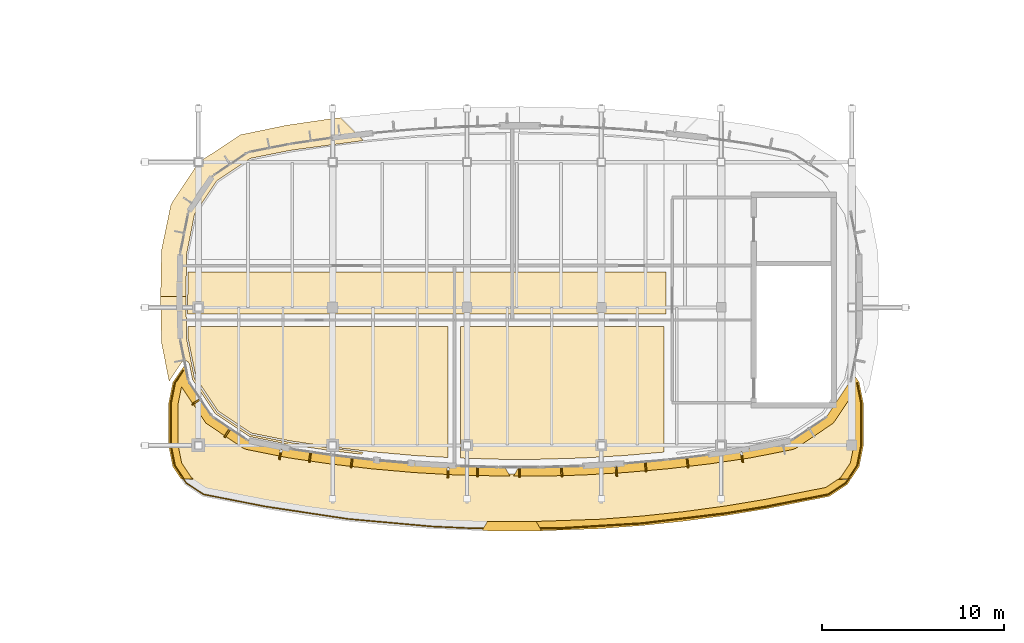
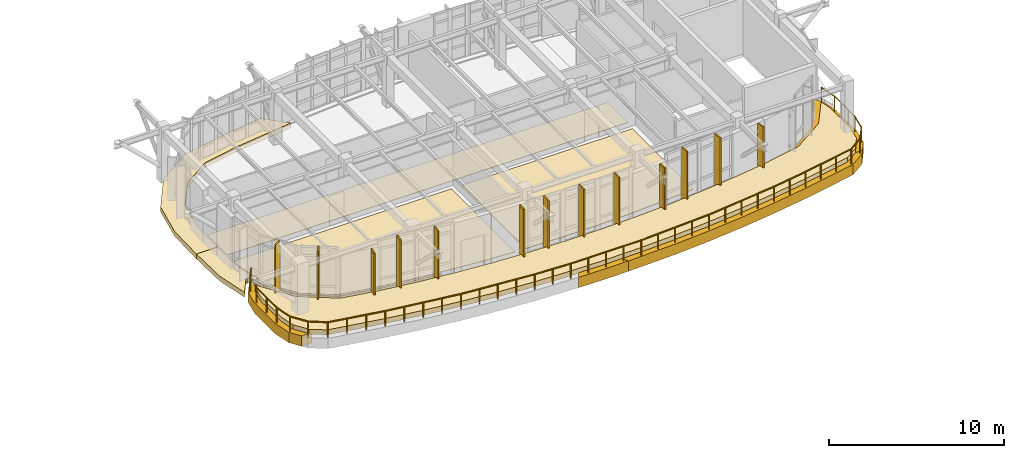
# One storey, part 94 of 105: 23 coverings, 4 shading devices, 1 railing.
"""IFC4 building model written with IfcOpenShell, lengths in metres."""

from ifc_helpers import new_model, si_unit, direction, frame, origin, origin_2d, place, context, subcontext, project, spatial, polyline, rectangle, circle, outline, extrude, material, layer, layer_set, type_object, element, save


model = new_model("IFC4")

# Units and contexts
model_context = context("Model", 3, precision=1e-05, world=origin(), true_north=direction((0.0, 1.0)))
body_context = subcontext(model_context, "Body", "Model", "MODEL_VIEW")
ifc_project = project(units=[si_unit("LENGTHUNIT", "METRE"), si_unit("AREAUNIT", "SQUARE_METRE"), si_unit("VOLUMEUNIT", "CUBIC_METRE"), si_unit("PLANEANGLEUNIT", "RADIAN"), si_unit("MASSUNIT", "GRAM", prefix="KILO")], contexts=[model_context])

# Site, building, storey
site_placement = place(None, origin())
site = spatial("IfcSite", under=ifc_project, at=site_placement, CompositionType="ELEMENT")
building_placement = place(site_placement, origin())
building = spatial("IfcBuilding", under=site, at=building_placement, Name="Corveleigh Park Community Centre", CompositionType="ELEMENT")
storey_placement = place(building_placement, frame((0.0, 0.0, 8.699951171875)))
storey = spatial("IfcBuildingStorey", under=building, at=storey_placement, Name="L02", CompositionType="ELEMENT", Elevation=8.699951171875)

# Coverings
ifc_material_1 = material(Name="Warm buff ribbed architectural cladding", Category="masonry")
ifc_layer_1 = layer(ifc_material_1, 0.0849609375, Name="Warm buff ribbed architectural cladding", Category="masonry")
ifc_layer_set_1 = layer_set([ifc_layer_1], Name="Warm buff ribbed architectural cladding")
covering_type_1 = type_object("IfcCoveringType", Name="COV-CLD-BUF", PredefinedType="CLADDING", material=ifc_layer_set_1)
covering_1_placement = place(storey_placement, origin())
element("IfcCovering", 1, at=covering_1_placement, inside=storey, type_object=covering_type_1, Name="V3 L02 Brise-soleil blade 334", PredefinedType="CLADDING", context=body_context, shape_type="SweptSolid", body=[
    extrude(outline(polyline([(78.237060546875, 10.845947265625), (78.153076171875, 10.85791015625), (78.069091796875, 10.283935546875), (78.153076171875, 10.27197265625), (78.237060546875, 10.845947265625)])), origin(), (0.0, 0.0, 1.0), 3.6640625),
])
covering_2_placement = place(storey_placement, origin())
element("IfcCovering", 2, at=covering_2_placement, inside=storey, type_object=covering_type_1, Name="V3 L02 Brise-soleil blade 335", PredefinedType="CLADDING", context=body_context, shape_type="SweptSolid", body=[
    extrude(outline(polyline([(80.52587890625, 10.544921875), (80.44091796875, 10.554931640625), (80.3740234375, 9.97900390625), (80.4580078125, 9.968994140625), (80.52587890625, 10.544921875)])), origin(), (0.0, 0.0, 1.0), 3.6640625),
])
covering_3_placement = place(storey_placement, origin())
element("IfcCovering", 3, at=covering_3_placement, inside=storey, type_object=covering_type_1, Name="V3 L02 Brise-soleil blade 336", PredefinedType="CLADDING", context=body_context, shape_type="SweptSolid", body=[
    extrude(outline(polyline([(85.81201171875, 9.949951171875), (85.72802734375, 9.955078125), (85.697021484375, 9.4208984375), (85.781982421875, 9.416015625), (85.81201171875, 9.949951171875)])), origin(), (0.0, 0.0, 1.0), 3.6640625),
])
covering_4_placement = place(storey_placement, origin())
element("IfcCovering", 4, at=covering_4_placement, inside=storey, type_object=covering_type_1, Name="V3 L02 Brise-soleil blade 337", PredefinedType="CLADDING", context=body_context, shape_type="SweptSolid", body=[
    extrude(outline(polyline([(87.43408203125, 10.044921875), (87.34912109375, 10.048095703125), (87.33203125, 9.468017578125), (87.4169921875, 9.466064453125), (87.43408203125, 10.044921875)])), origin(), (0.0, 0.0, 1.0), 3.6640625),
])
covering_5_placement = place(storey_placement, origin())
element("IfcCovering", 5, at=covering_5_placement, inside=storey, type_object=covering_type_1, Name="V3 L02 Brise-soleil blade 338", PredefinedType="CLADDING", context=body_context, shape_type="SweptSolid", body=[
    extrude(outline(polyline([(89.742919921875, 10.012939453125), (89.656982421875, 10.012939453125), (89.656982421875, 9.43310546875), (89.742919921875, 9.43310546875), (89.742919921875, 10.012939453125)])), origin(), (0.0, 0.0, 1.0), 3.6640625),
])
covering_6_placement = place(storey_placement, origin())
element("IfcCovering", 6, at=covering_6_placement, inside=storey, type_object=covering_type_1, Name="V3 L02 Brise-soleil blade 339", PredefinedType="CLADDING", context=body_context, shape_type="SweptSolid", body=[
    extrude(outline(polyline([(92.051025390625, 10.048095703125), (91.966064453125, 10.044921875), (91.98291015625, 9.466064453125), (92.068115234375, 9.468017578125), (92.051025390625, 10.048095703125)])), origin(), (0.0, 0.0, 1.0), 3.6640625),
])
covering_7_placement = place(storey_placement, origin())
element("IfcCovering", 7, at=covering_7_placement, inside=storey, type_object=covering_type_1, Name="V3 L02 Brise-soleil blade 340", PredefinedType="CLADDING", context=body_context, shape_type="SweptSolid", body=[
    extrude(outline(polyline([(95.06298828125, 10.02490234375), (94.97802734375, 10.02001953125), (95.009033203125, 9.486083984375), (95.093017578125, 9.490966796875), (95.06298828125, 10.02490234375)])), origin(), (0.0, 0.0, 1.0), 3.2431640625),
])
covering_8_placement = place(storey_placement, origin())
element("IfcCovering", 8, at=covering_8_placement, inside=storey, type_object=covering_type_1, Name="V3 L02 Brise-soleil blade 341", PredefinedType="CLADDING", context=body_context, shape_type="SweptSolid", body=[
    extrude(outline(polyline([(96.662109375, 10.319091796875), (96.576904296875, 10.31103515625), (96.6279296875, 9.73291015625), (96.7119140625, 9.740966796875), (96.662109375, 10.319091796875)])), origin(), (0.0, 0.0, 1.0), 3.6640625),
])
covering_9_placement = place(storey_placement, origin())
element("IfcCovering", 9, at=covering_9_placement, inside=storey, type_object=covering_type_1, Name="V3 L02 Brise-soleil blade 342", PredefinedType="CLADDING", context=body_context, shape_type="SweptSolid", body=[
    extrude(outline(polyline([(98.958984375, 10.554931640625), (98.8740234375, 10.544921875), (98.94189453125, 9.968994140625), (99.02587890625, 9.97900390625), (98.958984375, 10.554931640625)])), origin(), (0.0, 0.0, 1.0), 3.6640625),
])
covering_10_placement = place(storey_placement, origin())
element("IfcCovering", 10, at=covering_10_placement, inside=storey, type_object=covering_type_1, Name="V3 L02 Brise-soleil blade 343", PredefinedType="CLADDING", context=body_context, shape_type="SweptSolid", body=[
    extrude(outline(polyline([(101.95703125, 10.804931640625), (101.873046875, 10.79296875), (101.950927734375, 10.263916015625), (102.034912109375, 10.27587890625), (101.95703125, 10.804931640625)])), origin(), (0.0, 0.0, 1.0), 3.18701171875),
])
covering_11_placement = place(storey_placement, origin())
element("IfcCovering", 11, at=covering_11_placement, inside=storey, type_object=covering_type_1, Name="V3 L02 Brise-soleil blade 366", PredefinedType="CLADDING", context=body_context, shape_type="SweptSolid", body=[
    extrude(outline(polyline([(72.156005859375, 13.72802734375), (72.10888671875, 13.799072265625), (71.6259765625, 13.47705078125), (71.673095703125, 13.406005859375), (72.156005859375, 13.72802734375)])), origin(), (0.0, 0.0, 1.0), 3.6640625),
])
covering_12_placement = place(storey_placement, origin())
element("IfcCovering", 12, at=covering_12_placement, inside=storey, type_object=covering_type_1, Name="V3 L02 Brise-soleil blade 367", PredefinedType="CLADDING", context=body_context, shape_type="SweptSolid", body=[
    extrude(outline(polyline([(73.799072265625, 12.10888671875), (73.72802734375, 12.156005859375), (73.406005859375, 11.673095703125), (73.47705078125, 11.6259765625), (73.799072265625, 12.10888671875)])), origin(), (0.0, 0.0, 1.0), 3.6640625),
])
covering_13_placement = place(storey_placement, origin())
element("IfcCovering", 13, at=covering_13_placement, inside=storey, type_object=covering_type_1, Name="V3 L02 Brise-soleil blade 368", PredefinedType="CLADDING", context=body_context, shape_type="SweptSolid", body=[
    extrude(outline(polyline([(76.60888671875, 10.93896484375), (76.52587890625, 10.9560546875), (76.4208984375, 10.430908203125), (76.5048828125, 10.4140625), (76.60888671875, 10.93896484375)])), origin(), (0.0, 0.0, 1.0), 3.241943359375),
])
ifc_material_2 = material(Name="White architectural fascia cladding", Category="masonry")
ifc_layer_2 = layer(ifc_material_2, 0.074951171875, Name="White architectural fascia cladding", Category="masonry")
ifc_layer_set_2 = layer_set([ifc_layer_2], Name="White architectural fascia cladding")
covering_type_2 = type_object("IfcCoveringType", Name="COV-CLD-WHT", PredefinedType="CLADDING", material=ifc_layer_set_2)
covering_14_placement = place(storey_placement, frame((0.0, 0.0, -0.679931640625)))
element("IfcCovering", 14, at=covering_14_placement, inside=storey, type_object=covering_type_2, Name="Park Outlook Seminar Terrace Sweeping White Edge Band 1", PredefinedType="CLADDING", context=body_context, shape_type="SweptSolid", body=[
    extrude(outline(polyline([(108.412109375, 14.6630859375), (108.639892578125, 13.511962890625), (108.639892578125, 11.18798828125), (108.409912109375, 10.030029296875), (107.9541015625, 9.344970703125), (107.264892578125, 9.344970703125), (107.37890625, 9.4208984375), (107.9208984375, 10.23193359375), (108.1201171875, 11.236083984375), (108.1201171875, 13.4619140625), (108.02099609375, 13.964111328125), (106.97900390625, 12.4208984375), (104.93505859375, 11.0458984375), (104.762939453125, 10.97412109375), (102.424072265625, 10.510009765625), (100.1240234375, 10.173095703125), (97.81494140625, 9.903076171875), (95.512939453125, 9.700927734375), (93.193115234375, 9.56591796875), (90.868896484375, 9.498046875), (89.360107421875, 9.498046875), (89.660888671875, 10.01806640625), (93.1630859375, 10.0849609375), (95.468017578125, 10.218994140625), (97.76904296875, 10.4208984375), (100.06298828125, 10.68994140625), (102.346923828125, 11.02392578125), (104.653076171875, 11.48291015625), (106.611083984375, 12.7890625), (107.9150390625, 14.742919921875), (108.01708984375, 15.18798828125), (108.072021484375, 15.177001953125), (108.412109375, 14.6630859375)])), origin(), (0.0, 0.0, 1.0), 0.719970703125),
])
covering_15_placement = place(storey_placement, frame((0.0, 0.0, -0.679931640625)))
element("IfcCovering", 15, at=covering_15_placement, inside=storey, type_object=covering_type_2, Name="Park Outlook Seminar Terrace Sweeping White Edge Band 2", PredefinedType="CLADDING", context=body_context, shape_type="SweptSolid", body=[
    extrude(outline(polyline([(70.593994140625, 10.02294921875), (70.360107421875, 11.18798828125), (70.361083984375, 13.52001953125), (70.590087890625, 14.669921875), (71.26904296875, 15.656005859375), (71.30810546875, 15.6240234375), (71.485107421875, 14.742919921875), (72.7880859375, 12.7900390625), (74.74609375, 11.48388671875), (77.052978515625, 11.02392578125), (79.3369140625, 10.68994140625), (81.6298828125, 10.4208984375), (83.931884765625, 10.218994140625), (86.238037109375, 10.0849609375), (88.8720703125, 10.01806640625), (89.173095703125, 9.498046875), (86.2080078125, 9.56591796875), (83.886962890625, 9.700927734375), (81.583984375, 9.903076171875), (79.27587890625, 10.173095703125), (76.97607421875, 10.510009765625), (74.635986328125, 10.97509765625), (74.464111328125, 11.047119140625), (72.419921875, 12.422119140625), (71.071044921875, 14.426025390625), (70.8798828125, 13.465087890625), (70.8798828125, 11.235107421875), (71.0791015625, 10.23193359375), (71.62109375, 9.4208984375), (71.735107421875, 9.344970703125), (71.0458984375, 9.344970703125), (70.593994140625, 10.02294921875)])), origin(), (0.0, 0.0, 1.0), 0.719970703125),
])
covering_16_placement = place(storey_placement, frame((0.0, 0.0, -0.679931640625)))
element("IfcCovering", 16, at=covering_16_placement, inside=storey, type_object=covering_type_2, Name="Park Outlook Seminar Terrace Sweeping White Edge Band 4", PredefinedType="CLADDING", context=body_context, shape_type="SweptSolid", body=[
    extrude(outline(polyline([(90.906005859375, 6.491943359375), (89.4990234375, 6.470947265625), (87.6298828125, 6.4990234375), (87.927978515625, 7.014892578125), (90.60888671875, 7.008056640625), (90.906005859375, 6.491943359375)])), origin(), (0.0, 0.0, 1.0), 0.719970703125),
])
covering_17_placement = place(storey_placement, frame((0.0, 0.0, -0.679931640625)))
element("IfcCovering", 17, at=covering_17_placement, inside=storey, type_object=covering_type_2, Name="Park Outlook Seminar Terrace Sweeping White Edge Band 5", PredefinedType="CLADDING", context=body_context, shape_type="SweptSolid", body=[
    extrude(outline(polyline([(107.758056640625, 9.052978515625), (106.762939453125, 8.387939453125), (103.343994140625, 7.714111328125), (101.054931640625, 7.333984375), (98.756103515625, 7.02392578125), (96.449951171875, 6.781982421875), (94.136962890625, 6.60888671875), (90.909912109375, 6.491943359375), (90.612060546875, 7.008056640625), (94.10498046875, 7.1279296875), (96.403076171875, 7.300048828125), (98.695068359375, 7.541015625), (100.97900390625, 7.84912109375), (103.2509765625, 8.22509765625), (106.568115234375, 8.87890625), (107.238037109375, 9.326904296875), (107.94091796875, 9.326904296875), (107.758056640625, 9.052978515625)])), origin(), (0.0, 0.0, 1.0), 0.719970703125),
])
covering_18_placement = place(storey_placement, frame((0.0, 0.0, -0.300048828125)))
element("IfcCovering", 18, at=covering_18_placement, inside=storey, type_object=covering_type_2, Name="V3 L02 Horizontal Sun-Hood 4", PredefinedType="CLADDING", context=body_context, shape_type="SweptSolid", body=[
    extrude(outline(polyline([(69.9189453125, 19.409912109375), (69.969970703125, 21.95703125), (70.489990234375, 24.468017578125), (71.89794921875, 26.612060546875), (72.18798828125, 26.902099609375), (74.33203125, 28.31005859375), (76.843017578125, 28.830078125), (79.2119140625, 29.177978515625), (79.839111328125, 29.2509765625), (81.10205078125, 27.989990234375), (77.10791015625, 27.455078125), (74.87109375, 27.010009765625), (73.02294921875, 25.777099609375), (71.7900390625, 23.928955078125), (71.34912109375, 21.714111328125), (71.319091796875, 19.408935546875), (69.9189453125, 19.409912109375)])), origin(), (0.0, 0.0, 1.0), 0.340087890625),
])
covering_19_placement = place(storey_placement, frame((0.0, 0.0, -0.300048828125)))
element("IfcCovering", 19, at=covering_19_placement, inside=storey, type_object=covering_type_2, Name="V3 L02 Horizontal Sun-Hood 5", PredefinedType="CLADDING", context=body_context, shape_type="SweptSolid", body=[
    extrude(outline(polyline([(69.969970703125, 16.843017578125), (69.9189453125, 19.389892578125), (71.319091796875, 19.39111328125), (71.34912109375, 17.0859375), (71.7900390625, 14.87109375), (73.02294921875, 13.02294921875), (74.87109375, 11.7900390625), (77.10791015625, 11.344970703125), (81.10205078125, 10.81005859375), (80.998046875, 10.7060546875), (79.364990234375, 10.89794921875), (77.089111328125, 11.23095703125), (74.826904296875, 11.681884765625), (72.93896484375, 12.94091796875), (71.681884765625, 14.824951171875), (71.508056640625, 15.68896484375), (71.407958984375, 15.823974609375), (71.243896484375, 15.864990234375), (71.092041015625, 15.79296875), (70.389892578125, 14.73291015625), (69.969970703125, 16.843017578125)])), origin(), (0.0, 0.0, 1.0), 0.340087890625),
])
ifc_material_3 = material(Name="Acoustic linoleum flooring", Category="wood")
ifc_layer_3 = layer(ifc_material_3, 0.02490234375, Name="Acoustic linoleum flooring", Category="wood")
ifc_layer_set_3 = layer_set([ifc_layer_3], Name="Acoustic linoleum flooring")
covering_type_3 = type_object("IfcCoveringType", Name="COV-FLR-LIN", PredefinedType="FLOORING", material=ifc_layer_set_3)
covering_20_placement = place(storey_placement, origin())
element("IfcCovering", 20, at=covering_20_placement, inside=storey, type_object=covering_type_3, Name="Cultural Pebble Corridor flooring", PredefinedType="FLOORING", context=body_context, shape_type="SweptSolid", body=[
    extrude(outline(polyline([(71.4130859375, 18.43994140625), (71.419921875, 20.760009765625), (97.760009765625, 20.760009765625), (97.760009765625, 18.43994140625), (71.4130859375, 18.43994140625)])), origin(), (0.0, 0.0, 1.0), 0.025146484375),
])
covering_21_placement = place(storey_placement, origin())
element("IfcCovering", 21, at=covering_21_placement, inside=storey, type_object=covering_type_3, Name="Civic Heritage Classroom flooring", PredefinedType="FLOORING", context=body_context, shape_type="SweptSolid", body=[
    extrude(outline(polyline([(81.673095703125, 10.833984375), (79.39208984375, 11.10107421875), (77.123046875, 11.43408203125), (74.906005859375, 11.8740234375), (73.087890625, 13.087890625), (71.8740234375, 14.906005859375), (71.43896484375, 17.095947265625), (71.426025390625, 17.760009765625), (85.760009765625, 17.760009765625), (85.760009765625, 10.528076171875), (83.9619140625, 10.633056640625), (81.673095703125, 10.833984375)])), origin(), (0.0, 0.0, 1.0), 0.025146484375),
])
ifc_material_4 = material(Name="Sprung hardwood sports flooring", Category="wood")
ifc_layer_4 = layer(ifc_material_4, 0.044921875, Name="Sprung hardwood sports flooring", Category="wood")
ifc_layer_set_4 = layer_set([ifc_layer_4], Name="Sprung hardwood sports flooring")
covering_type_4 = type_object("IfcCoveringType", Name="COV-FLR-SPR", PredefinedType="FLOORING", material=ifc_layer_set_4)
covering_22_placement = place(storey_placement, origin())
element("IfcCovering", 22, at=covering_22_placement, inside=storey, type_object=covering_type_4, Name="Oral History Recording Studio flooring", PredefinedType="FLOORING", context=body_context, shape_type="SweptSolid", body=[
    extrude(outline(polyline([(93.14501953125, 10.5), (90.84912109375, 10.43310546875), (88.551025390625, 10.43310546875), (86.43994140625, 10.493896484375), (86.43994140625, 17.760009765625), (97.659912109375, 17.760009765625), (97.659912109375, 10.827880859375), (95.43798828125, 10.633056640625), (93.14501953125, 10.5)])), origin(), (0.0, 0.0, 1.0), 0.045166015625),
])
ifc_material_5 = material(Name="Extensive sedum roof build-up", Category="masonry")
ifc_layer_5 = layer(ifc_material_5, 0.35009765625, Name="Extensive sedum roof build-up", Category="masonry")
ifc_layer_set_5 = layer_set([ifc_layer_5], Name="Extensive sedum roof build-up")
covering_type_5 = type_object("IfcCoveringType", Name="COV-ROF-GRN", PredefinedType="ROOFING", material=ifc_layer_set_5)
covering_23_placement = place(storey_placement, origin())
element("IfcCovering", 23, at=covering_23_placement, inside=storey, type_object=covering_type_5, Name="Park Outlook Seminar Terrace sedum build-up", PredefinedType="ROOFING", context=body_context, shape_type="SweptSolid", body=[
    extrude(outline(polyline([(108.0869140625, 14.298095703125), (108.25, 13.47607421875), (108.25, 11.222900390625), (108.04296875, 10.181884765625), (107.472900390625, 9.326904296875), (106.618896484375, 8.757080078125), (103.27490234375, 8.096923828125), (100.998046875, 7.719970703125), (98.7099609375, 7.412109375), (96.4150390625, 7.1708984375), (94.113037109375, 6.998046875), (91.80810546875, 6.89599609375), (89.5, 6.861083984375), (87.19189453125, 6.89599609375), (84.886962890625, 6.998046875), (82.5849609375, 7.1708984375), (80.2900390625, 7.412109375), (78.001953125, 7.719970703125), (75.72509765625, 8.096923828125), (72.381103515625, 8.757080078125), (71.527099609375, 9.326904296875), (70.95703125, 10.181884765625), (70.75, 11.221923828125), (70.75, 13.47802734375), (70.95703125, 14.51806640625), (71.091064453125, 14.719970703125), (71.156005859375, 14.532958984375), (72.511962890625, 12.512939453125), (74.6279296875, 11.111083984375), (76.9951171875, 10.638916015625), (79.281005859375, 10.303955078125), (81.5849609375, 10.032958984375), (83.908935546875, 9.830078125), (86.22607421875, 9.695068359375), (88.544921875, 9.6279296875), (90.864990234375, 9.6279296875), (93.18505859375, 9.696044921875), (95.501953125, 9.830078125), (97.803955078125, 10.031982421875), (100.10888671875, 10.302001953125), (102.405029296875, 10.638916015625), (104.737060546875, 11.10205078125), (106.886962890625, 12.511962890625), (108.0869140625, 14.298095703125)])), origin(), (0.0, 0.0, 1.0), 0.35009765625),
])

# Railing
ifc_material_6 = material(Name="Stainless steel 316 balustrade", Category="steel")
railing_type = type_object("IfcRailingType", Name="RLG-BAL-EXT-1100", PredefinedType="BALUSTRADE", material=ifc_material_6)
railing_placement = place(storey_placement, frame((108.298095703125, 14.6240234375, 0.0)))
element("IfcRailing", 24, at=railing_placement, inside=storey, type_object=railing_type, Name="Park Outlook Seminar Terrace guard 12", PredefinedType="BALUSTRADE", context=body_context, shape_type="SweptSolid", body=[
    extrude(circle(Radius=0.02392578125, at=origin_2d()), frame((0.0, 0.0, 1.076171875), z_axis=(0.19434782188, -0.980932680733, 0.0), x_axis=(0.980932680733, 0.19434782188, 0.0)), (0.0, 0.0, 1.0), 1.141845703125),
    extrude(circle(Radius=0.02392578125, at=origin_2d()), frame((0.221923828125, -1.1201171875, 1.076171875), z_axis=(0.010505628422, -0.999944814363, 0.0), x_axis=(0.999944814363, 0.010505628422, 0.0)), (0.0, 0.0, 1.0), 0.766845703125),
    extrude(circle(Radius=0.02392578125, at=origin_2d()), frame((0.22998046875, -1.886962890625, 1.076171875), z_axis=(-0.005228065432, -0.999986333573, 0.0), x_axis=(0.999986333573, -0.005228065432, 0.0)), (0.0, 0.0, 1.0), 1.541015625),
    extrude(circle(Radius=0.02392578125, at=origin_2d()), frame((0.221923828125, -3.427978515625, 1.076171875), z_axis=(-0.19434782188, -0.980932680733, 0.0), x_axis=(0.980932680733, -0.19434782188, 0.0)), (0.0, 0.0, 1.0), 1.141845703125),
    extrude(circle(Radius=0.02392578125, at=origin_2d()), frame((0.0, -4.548095703125, 1.076171875), z_axis=(-0.556238606841, -0.831022630414, 0.0), x_axis=(0.831022630414, -0.556238606841, 0.0)), (0.0, 0.0, 1.0), 1.134521484375),
    extrude(circle(Radius=0.02392578125, at=origin_2d()), frame((-0.631103515625, -5.490966796875, 1.076171875), z_axis=(-0.831022630414, -0.556238606841, 0.0), x_axis=(0.556238606841, -0.831022630414, 0.0)), (0.0, 0.0, 1.0), 1.134521484375),
    extrude(circle(Radius=0.02392578125, at=origin_2d()), frame((-1.573974609375, -6.1220703125, 1.076171875), z_axis=(-0.981148070708, -0.193257505278, 0.0), x_axis=(0.193257505278, -0.981148070708, 0.0)), (0.0, 0.0, 1.0), 3.466552734375),
    extrude(circle(Radius=0.02392578125, at=origin_2d()), frame((-4.97509765625, -6.7919921875, 1.076171875), z_axis=(-0.986510477976, -0.163698127182, 0.0), x_axis=(0.163698127182, -0.986510477976, 0.0)), (0.0, 0.0, 1.0), 2.316162109375),
    extrude(circle(Radius=0.02392578125, at=origin_2d()), frame((-7.260009765625, -7.171142578125, 1.076171875), z_axis=(-0.992905242377, -0.118908282557, 0.0), x_axis=(0.118908282557, -0.992905242377, 0.0)), (0.0, 0.0, 1.0), 4.632080078125),
    extrude(circle(Radius=0.02392578125, at=origin_2d()), frame((-11.859130859375, -7.721923828125, 1.076171875), z_axis=(-0.99822107085, -0.059621252172, 0.0), x_axis=(0.059621252172, -0.99822107085, 0.0)), (0.0, 0.0, 1.0), 4.63134765625),
    extrude(circle(Radius=0.02392578125, at=origin_2d()), frame((-16.482177734375, -7.998046875, 1.076171875), z_axis=(-1.0, 0.0, 0.0), x_axis=(0.0, -1.0, 0.0)), (0.0, 0.0, 1.0), 4.6318359375),
    extrude(circle(Radius=0.02392578125, at=origin_2d()), frame((-21.114013671875, -7.998046875, 1.076171875), z_axis=(-0.999009436143, 0.044498837033, 0.0), x_axis=(-0.044498837033, -0.999009436143, 0.0)), (0.0, 0.0, 1.0), 2.315185546875),
    extrude(circle(Radius=0.02392578125, at=origin_2d()), frame((-23.427001953125, -7.89501953125, 1.076171875), z_axis=(-0.995995822609, 0.089399783813, 0.0), x_axis=(-0.089399783813, -0.995995822609, 0.0)), (0.0, 0.0, 1.0), 4.631591796875),
    extrude(circle(Radius=0.02392578125, at=origin_2d()), frame((-28.0400390625, -7.48095703125, 1.076171875), z_axis=(-0.988879068599, 0.148721846706, 0.0), x_axis=(-0.148721846706, -0.988879068599, 0.0)), (0.0, 0.0, 1.0), 4.632568359375),
    extrude(circle(Radius=0.02392578125, at=origin_2d()), frame((-32.62109375, -6.7919921875, 1.076171875), z_axis=(-0.981148070708, 0.193257505278, 0.0), x_axis=(-0.193257505278, -0.981148070708, 0.0)), (0.0, 0.0, 1.0), 3.466552734375),
    extrude(circle(Radius=0.02392578125, at=origin_2d()), frame((-36.022216796875, -6.1220703125, 1.076171875), z_axis=(-0.831022630414, 0.556238606841, 0.0), x_axis=(-0.556238606841, -0.831022630414, 0.0)), (0.0, 0.0, 1.0), 1.134521484375),
    extrude(circle(Radius=0.02392578125, at=origin_2d()), frame((-36.965087890625, -5.490966796875, 1.076171875), z_axis=(-0.556238606841, 0.831022630414, 0.0), x_axis=(-0.831022630414, -0.556238606841, 0.0)), (0.0, 0.0, 1.0), 1.134521484375),
    extrude(circle(Radius=0.02392578125, at=origin_2d()), frame((-37.59619140625, -4.548095703125, 1.076171875), z_axis=(-0.19434782188, 0.980932680733, 0.0), x_axis=(-0.980932680733, -0.19434782188, 0.0)), (0.0, 0.0, 1.0), 1.141845703125),
    extrude(circle(Radius=0.02392578125, at=origin_2d()), frame((-37.818115234375, -3.427978515625, 1.076171875), z_axis=(0.0, 1.0, 0.0), x_axis=(-1.0, 0.0, 0.0)), (0.0, 0.0, 1.0), 2.307861328125),
    extrude(circle(Radius=0.02392578125, at=origin_2d()), frame((-37.818115234375, -1.1201171875, 1.076171875), z_axis=(0.19434782188, 0.980932680733, 0.0), x_axis=(-0.980932680733, 0.19434782188, 0.0)), (0.0, 0.0, 1.0), 1.141845703125),
    extrude(circle(Radius=0.02392578125, at=origin_2d()), frame((-37.59619140625, 0.0, 1.076171875), z_axis=(0.556538449303, 0.830821854821, 0.0), x_axis=(-0.830821854821, 0.556538449303, 0.0)), (0.0, 0.0, 1.0), 0.826904296875),
    extrude(circle(Radius=0.02099609375, at=origin_2d()), origin(), (0.0, 0.0, 1.0), 1.052001953125),
    extrude(circle(Radius=0.02099609375, at=origin_2d()), frame((0.221923828125, -1.1201171875, 0.0)), (0.0, 0.0, 1.0), 1.052001953125),
    extrude(circle(Radius=0.02099609375, at=origin_2d()), frame((0.22998046875, -1.886962890625, 0.0)), (0.0, 0.0, 1.0), 1.052001953125),
    extrude(circle(Radius=0.02099609375, at=origin_2d()), frame((0.22607421875, -2.657470703125, 0.0)), (0.0, 0.0, 1.0), 1.052001953125),
    extrude(circle(Radius=0.02099609375, at=origin_2d()), frame((0.221923828125, -3.427978515625, 0.0)), (0.0, 0.0, 1.0), 1.052001953125),
    extrude(circle(Radius=0.02099609375, at=origin_2d()), frame((0.0, -4.548095703125, 0.0)), (0.0, 0.0, 1.0), 1.052001953125),
    extrude(circle(Radius=0.02099609375, at=origin_2d()), frame((-0.631103515625, -5.490966796875, 0.0)), (0.0, 0.0, 1.0), 1.052001953125),
    extrude(circle(Radius=0.02099609375, at=origin_2d()), frame((-1.573974609375, -6.1220703125, 0.0)), (0.0, 0.0, 1.0), 1.052001953125),
    extrude(circle(Radius=0.02099609375, at=origin_2d()), frame((-2.707763671875, -6.345458984375, 0.0)), (0.0, 0.0, 1.0), 1.052001953125),
    extrude(circle(Radius=0.02099609375, at=origin_2d()), frame((-3.84130859375, -6.568603515625, 0.0)), (0.0, 0.0, 1.0), 1.052001953125),
    extrude(circle(Radius=0.02099609375, at=origin_2d()), frame((-4.97509765625, -6.7919921875, 0.0)), (0.0, 0.0, 1.0), 1.052001953125),
    extrude(circle(Radius=0.02099609375, at=origin_2d()), frame((-6.11767578125, -6.9814453125, 0.0)), (0.0, 0.0, 1.0), 1.052001953125),
    extrude(circle(Radius=0.02099609375, at=origin_2d()), frame((-7.260009765625, -7.171142578125, 0.0)), (0.0, 0.0, 1.0), 1.052001953125),
    extrude(circle(Radius=0.02099609375, at=origin_2d()), frame((-8.40966796875, -7.308837890625, 0.0)), (0.0, 0.0, 1.0), 1.052001953125),
    extrude(circle(Radius=0.02099609375, at=origin_2d()), frame((-9.5595703125, -7.446533203125, 0.0)), (0.0, 0.0, 1.0), 1.052001953125),
    extrude(circle(Radius=0.02099609375, at=origin_2d()), frame((-10.70947265625, -7.584228515625, 0.0)), (0.0, 0.0, 1.0), 1.052001953125),
    extrude(circle(Radius=0.02099609375, at=origin_2d()), frame((-11.859130859375, -7.721923828125, 0.0)), (0.0, 0.0, 1.0), 1.052001953125),
    extrude(circle(Radius=0.02099609375, at=origin_2d()), frame((-13.014892578125, -7.791015625, 0.0)), (0.0, 0.0, 1.0), 1.052001953125),
    extrude(circle(Radius=0.02099609375, at=origin_2d()), frame((-14.170654296875, -7.85986328125, 0.0)), (0.0, 0.0, 1.0), 1.052001953125),
    extrude(circle(Radius=0.02099609375, at=origin_2d()), frame((-15.326416015625, -7.928955078125, 0.0)), (0.0, 0.0, 1.0), 1.052001953125),
    extrude(circle(Radius=0.02099609375, at=origin_2d()), frame((-16.482177734375, -7.998046875, 0.0)), (0.0, 0.0, 1.0), 1.052001953125),
    extrude(circle(Radius=0.02099609375, at=origin_2d()), frame((-17.64013671875, -7.998046875, 0.0)), (0.0, 0.0, 1.0), 1.052001953125),
    extrude(circle(Radius=0.02099609375, at=origin_2d()), frame((-18.798095703125, -7.998046875, 0.0)), (0.0, 0.0, 1.0), 1.052001953125),
    extrude(circle(Radius=0.02099609375, at=origin_2d()), frame((-19.9560546875, -7.998046875, 0.0)), (0.0, 0.0, 1.0), 1.052001953125),
    extrude(circle(Radius=0.02099609375, at=origin_2d()), frame((-21.114013671875, -7.998046875, 0.0)), (0.0, 0.0, 1.0), 1.052001953125),
    extrude(circle(Radius=0.02099609375, at=origin_2d()), frame((-22.2705078125, -7.946533203125, 0.0)), (0.0, 0.0, 1.0), 1.052001953125),
    extrude(circle(Radius=0.02099609375, at=origin_2d()), frame((-23.427001953125, -7.89501953125, 0.0)), (0.0, 0.0, 1.0), 1.052001953125),
    extrude(circle(Radius=0.02099609375, at=origin_2d()), frame((-24.580322265625, -7.79150390625, 0.0)), (0.0, 0.0, 1.0), 1.052001953125),
    extrude(circle(Radius=0.02099609375, at=origin_2d()), frame((-25.7333984375, -7.68798828125, 0.0)), (0.0, 0.0, 1.0), 1.052001953125),
    extrude(circle(Radius=0.02099609375, at=origin_2d()), frame((-26.88671875, -7.58447265625, 0.0)), (0.0, 0.0, 1.0), 1.052001953125),
    extrude(circle(Radius=0.02099609375, at=origin_2d()), frame((-28.0400390625, -7.48095703125, 0.0)), (0.0, 0.0, 1.0), 1.052001953125),
    extrude(circle(Radius=0.02099609375, at=origin_2d()), frame((-29.185302734375, -7.30859375, 0.0)), (0.0, 0.0, 1.0), 1.052001953125),
    extrude(circle(Radius=0.02099609375, at=origin_2d()), frame((-30.33056640625, -7.136474609375, 0.0)), (0.0, 0.0, 1.0), 1.052001953125),
    extrude(circle(Radius=0.02099609375, at=origin_2d()), frame((-31.475830078125, -6.96435546875, 0.0)), (0.0, 0.0, 1.0), 1.052001953125),
    extrude(circle(Radius=0.02099609375, at=origin_2d()), frame((-32.62109375, -6.7919921875, 0.0)), (0.0, 0.0, 1.0), 1.052001953125),
    extrude(circle(Radius=0.02099609375, at=origin_2d()), frame((-33.7548828125, -6.568603515625, 0.0)), (0.0, 0.0, 1.0), 1.052001953125),
    extrude(circle(Radius=0.02099609375, at=origin_2d()), frame((-34.888427734375, -6.345458984375, 0.0)), (0.0, 0.0, 1.0), 1.052001953125),
    extrude(circle(Radius=0.02099609375, at=origin_2d()), frame((-36.022216796875, -6.1220703125, 0.0)), (0.0, 0.0, 1.0), 1.052001953125),
    extrude(circle(Radius=0.02099609375, at=origin_2d()), frame((-36.965087890625, -5.490966796875, 0.0)), (0.0, 0.0, 1.0), 1.052001953125),
    extrude(circle(Radius=0.02099609375, at=origin_2d()), frame((-37.59619140625, -4.548095703125, 0.0)), (0.0, 0.0, 1.0), 1.052001953125),
    extrude(circle(Radius=0.02099609375, at=origin_2d()), frame((-37.818115234375, -3.427978515625, 0.0)), (0.0, 0.0, 1.0), 1.052001953125),
    extrude(circle(Radius=0.02099609375, at=origin_2d()), frame((-37.818115234375, -2.27392578125, 0.0)), (0.0, 0.0, 1.0), 1.052001953125),
    extrude(circle(Radius=0.02099609375, at=origin_2d()), frame((-37.818115234375, -1.1201171875, 0.0)), (0.0, 0.0, 1.0), 1.052001953125),
    extrude(circle(Radius=0.02099609375, at=origin_2d()), frame((-37.59619140625, 0.0, 0.0)), (0.0, 0.0, 1.0), 1.052001953125),
    extrude(circle(Radius=0.02099609375, at=origin_2d()), frame((-37.135986328125, 0.68701171875, 0.0)), (0.0, 0.0, 1.0), 1.052001953125),
])

# Shading devices
ifc_material_7 = material(Name="Terracotta-anodised aluminium fin", Category="masonry")
shading_device_type_1 = type_object("IfcShadingDeviceType", Name="SHD-FIN-TER-350", PredefinedType="USERDEFINED", material=ifc_material_7)
shading_device_1_placement = place(storey_placement, frame((95.031005859375, 9.8330078125, 0.25), z_axis=(0.0, 0.0, 1.0), x_axis=(0.057596535089, -0.998339941676, 0.0)))
element("IfcShadingDevice", 25, at=shading_device_1_placement, inside=storey, type_object=shading_device_type_1, Name="Terracotta brise-soleil fin 65", ObjectType="FIN", PredefinedType="USERDEFINED", context=body_context, shape_type="SweptSolid", body=[
    extrude(rectangle(XDim=0.35009765625, YDim=0.06005859375, at=origin_2d()), origin(), (0.0, 0.0, 1.0), 2.843017578125),
])
shading_device_type_2 = type_object("IfcShadingDeviceType", Name="SHD-FIN-TER-450", PredefinedType="USERDEFINED", material=ifc_material_7)
shading_device_2_placement = place(storey_placement, frame((85.759033203125, 9.761962890625, 0.25), z_axis=(0.0, 0.0, 1.0), x_axis=(-0.057596535089, -0.998339941676, 0.0)))
element("IfcShadingDevice", 26, at=shading_device_2_placement, inside=storey, type_object=shading_device_type_2, Name="Terracotta brise-soleil fin 64", ObjectType="FIN", PredefinedType="USERDEFINED", context=body_context, shape_type="SweptSolid", body=[
    extrude(rectangle(XDim=0.449951171875, YDim=0.06494140625, at=origin_2d()), origin(), (0.0, 0.0, 1.0), 3.263916015625),
])
shading_device_3_placement = place(storey_placement, frame((101.943115234375, 10.611083984375, 0.25), z_axis=(0.0, 0.0, 1.0), x_axis=(0.144966003251, -0.989436636628, 0.0)))
element("IfcShadingDevice", 27, at=shading_device_3_placement, inside=storey, type_object=shading_device_type_2, Name="Terracotta brise-soleil fin 66", ObjectType="FIN", PredefinedType="USERDEFINED", context=body_context, shape_type="SweptSolid", body=[
    extrude(rectangle(XDim=0.449951171875, YDim=0.06494140625, at=origin_2d()), origin(), (0.0, 0.0, 1.0), 2.787109375),
])
shading_device_4_placement = place(storey_placement, frame((76.530029296875, 10.760986328125, 0.25), z_axis=(0.0, 0.0, 1.0), x_axis=(-0.194947048267, -0.980813768445, 0.0)))
element("IfcShadingDevice", 28, at=shading_device_4_placement, inside=storey, type_object=shading_device_type_2, Name="Terracotta brise-soleil fin 72", ObjectType="FIN", PredefinedType="USERDEFINED", context=body_context, shape_type="SweptSolid", body=[
    extrude(rectangle(XDim=0.449951171875, YDim=0.06494140625, at=origin_2d()), origin(), (0.0, 0.0, 1.0), 2.842041015625),
])

save(model, "model.ifc")
